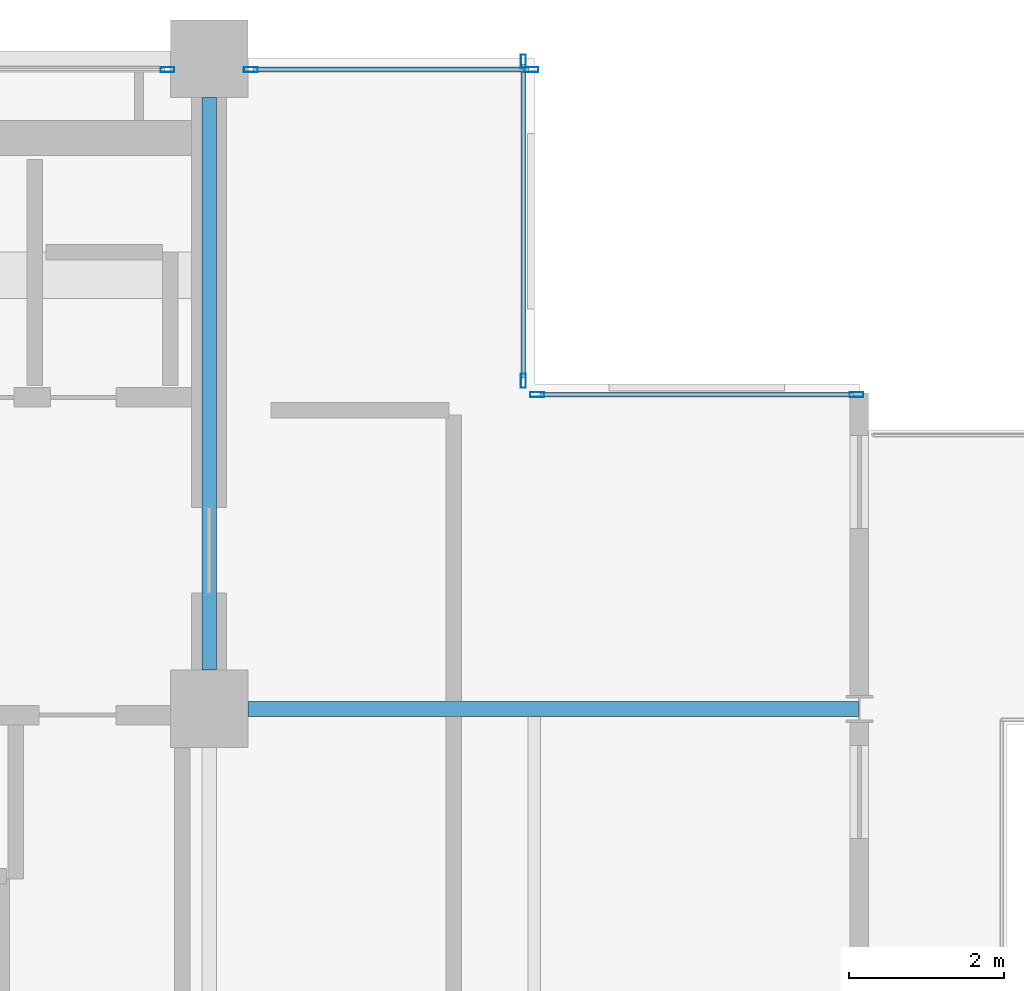
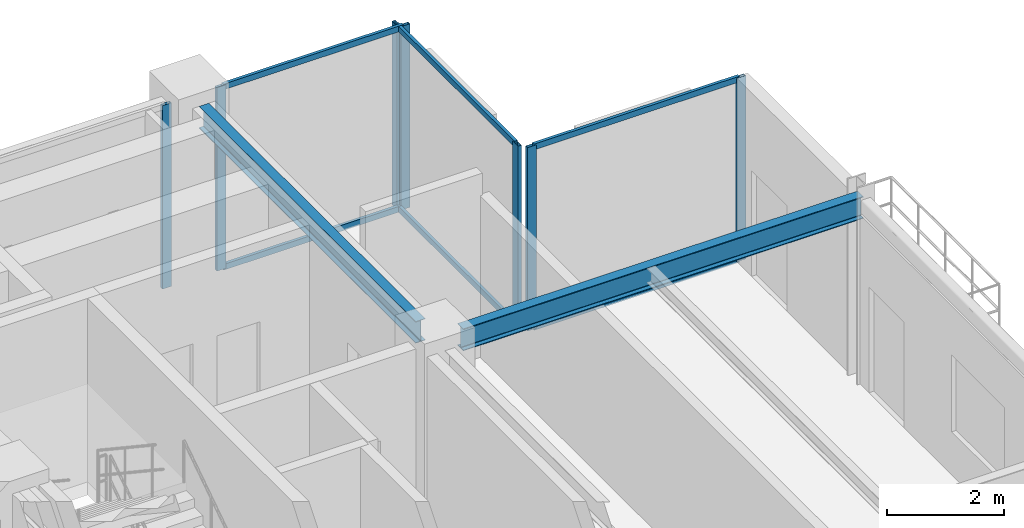
# One storey, part 18 of 25: 13 members, 2 beams, 4 elements without a shape of their own.
"""IFC4 building model written with IfcOpenShell, lengths in metres."""

from ifc_helpers import new_model, si_unit, direction, frame, origin, origin_2d, place, context, subcontext, project, spatial, hollow_rectangle, i_section, extrude, material, layer, layer_set, material_profile, profile_set, type_object, element, aggregate, save


model = new_model("IFC4")

# Units and contexts
model_context = context("Model", 3, precision=1e-05, world=origin(), true_north=direction((0.0, 1.0)))
body_context = subcontext(model_context, "Body", "Model", "MODEL_VIEW")
ifc_project = project(units=[si_unit("LENGTHUNIT", "METRE"), si_unit("AREAUNIT", "SQUARE_METRE"), si_unit("VOLUMEUNIT", "CUBIC_METRE"), si_unit("PLANEANGLEUNIT", "RADIAN"), si_unit("MASSUNIT", "GRAM", prefix="KILO")], contexts=[model_context])

# Site, building, storey
site_placement = place(None, origin())
site = spatial("IfcSite", under=ifc_project, at=site_placement, CompositionType="ELEMENT")
building_placement = place(site_placement, origin())
building = spatial("IfcBuilding", under=site, at=building_placement, Name="Nerrivon Quay Data Exchange", CompositionType="ELEMENT")
storey_placement = place(building_placement, frame((0.0, 0.0, 232.89990234375)))
storey = spatial("IfcBuildingStorey", under=building, at=storey_placement, Name="L55", CompositionType="ELEMENT", Elevation=232.89990234375)

# Beams
ifc_material_1 = material(Name="Steel Grade 350", Category="steel")
ifc_material_profile_1 = material_profile(ifc_material_1, i_section(OverallWidth=0.19091796875, OverallDepth=0.4599609375, WebThickness=0.010009765625, FlangeThickness=0.01611328125, FilletRadius=0.011474609375, at=origin_2d()), Name="460UB82.1")
ifc_profile_set_1 = profile_set([ifc_material_profile_1], Name="Steel Grade 350")
beam_type_1 = type_object("IfcBeamType", Name="BM-G5-460UB82", PredefinedType="BEAM", material=ifc_profile_set_1)
beam_1_placement = place(storey_placement, frame((17.300048828125, 33.60009765625, 3.59521484375), z_axis=(1.0, 0.0, 0.0), x_axis=(0.0, 1.0, 0.0)))
element("IfcBeam", 1, at=beam_1_placement, inside=storey, type_object=beam_type_1, Name="L55 EW Girder Y=33.6 (16.8..25.2)", PredefinedType="BEAM", context=body_context, shape_type="SweptSolid", body=[
    extrude(i_section(OverallWidth=0.19091796875, OverallDepth=0.4599609375, WebThickness=0.010009765625, FlangeThickness=0.01611328125, FilletRadius=0.011474609375, at=origin_2d()), origin(), (0.0, 0.0, 1.0), 7.889892578125),
])
ifc_material_profile_2 = material_profile(ifc_material_1, i_section(OverallWidth=0.18994140625, OverallDepth=0.4541015625, WebThickness=0.008544921875, FlangeThickness=0.0126953125, FilletRadius=0.011474609375, at=origin_2d()), Name="460UB67.1")
ifc_profile_set_2 = profile_set([ifc_material_profile_2], Name="Steel Grade 350")
beam_type_2 = type_object("IfcBeamType", Name="BM-G6-460UB67", PredefinedType="BEAM", material=ifc_profile_set_2)
beam_2_placement = place(storey_placement, frame((16.800048828125, 34.10009765625, 3.59814453125), z_axis=(0.0, 1.0, 0.0), x_axis=(-1.0, 0.0, 0.0)))
element("IfcBeam", 2, at=beam_2_placement, inside=storey, type_object=beam_type_2, Name="L55 NS Girder X=16.8 (33.6..42.0)", PredefinedType="BEAM", context=body_context, shape_type="SweptSolid", body=[
    extrude(i_section(OverallWidth=0.18994140625, OverallDepth=0.4541015625, WebThickness=0.008544921875, FlangeThickness=0.0126953125, FilletRadius=0.011474609375, at=origin_2d()), origin(), (0.0, 0.0, 1.0), 7.39990234375),
])

# Curtain wall, member
ifc_material_2 = material(Name="Anodised aluminium 6063-T6", Category="aluminium")
ifc_layer = layer(ifc_material_2, 0.195068359375)
ifc_layer_set = layer_set([ifc_layer], Name="Anodised aluminium 6063-T6")
curtain_wall_type = type_object("IfcCurtainWallType", Name="CW-SYS-06", PredefinedType="NOTDEFINED", material=ifc_layer_set)
curtain_wall_1_placement = place(storey_placement, origin())
curtain_wall_1 = element("IfcCurtainWall", 3, at=curtain_wall_1_placement, inside=storey, type_object=curtain_wall_type, Name="L55 Unitised Curtain Wall 18", PredefinedType="NOTDEFINED")
ifc_material_profile_3 = material_profile(ifc_material_2, hollow_rectangle(XDim=0.06494140625, YDim=0.179931640625, WallThickness=0.00341796875, at=origin_2d()), Name="ALU-MULL-180x65")
ifc_profile_set_3 = profile_set([ifc_material_profile_3], Name="Anodised aluminium 6063-T6")
member_type_1 = type_object("IfcMemberType", Name="CWM-180x65", PredefinedType="MULLION", material=ifc_profile_set_3)
member_1_placement = place(storey_placement, frame((16.262451171875, 41.860107421875, 0.0), z_axis=(0.0, 0.0, 1.0), x_axis=(0.0, 1.0, 0.0)))
member_1 = element("IfcMember", 4, at=member_1_placement, type_object=member_type_1, Name="CW06 mullion 2", PredefinedType="MULLION", context=body_context, shape_type="SweptSolid", body=[
    extrude(hollow_rectangle(XDim=0.06494140625, YDim=0.179931640625, WallThickness=0.00341796875, at=origin_2d()), origin(), (0.0, 0.0, 1.0), 3.8251953125),
])
aggregate(curtain_wall_1, [member_1])

# Curtain wall, members
curtain_wall_2_placement = place(storey_placement, origin())
curtain_wall_2 = element("IfcCurtainWall", 5, at=curtain_wall_2_placement, inside=storey, type_object=curtain_wall_type, Name="L55 Unitised Curtain Wall 19", PredefinedType="NOTDEFINED")
member_2_placement = place(storey_placement, frame((17.33740234375, 41.860107421875, 0.0), z_axis=(0.0, 0.0, 1.0), x_axis=(0.0, 1.0, 0.0)))
member_2 = element("IfcMember", 6, at=member_2_placement, type_object=member_type_1, Name="CW06 mullion 1", PredefinedType="MULLION", context=body_context, shape_type="SweptSolid", body=[
    extrude(hollow_rectangle(XDim=0.06494140625, YDim=0.179931640625, WallThickness=0.00341796875, at=origin_2d()), origin(), (0.0, 0.0, 1.0), 3.8251953125),
])
member_3_placement = place(storey_placement, frame((20.96240234375, 41.860107421875, 0.0), z_axis=(0.0, 0.0, 1.0), x_axis=(0.0, 1.0, 0.0)))
member_3 = element("IfcMember", 7, at=member_3_placement, type_object=member_type_1, Name="CW06 mullion 2", PredefinedType="MULLION", context=body_context, shape_type="SweptSolid", body=[
    extrude(hollow_rectangle(XDim=0.06494140625, YDim=0.179931640625, WallThickness=0.00341796875, at=origin_2d()), origin(), (0.0, 0.0, 1.0), 3.8251953125),
])

curtain_wall_3_placement = place(storey_placement, origin())
curtain_wall_3 = element("IfcCurtainWall", 8, at=curtain_wall_3_placement, inside=storey, type_object=curtain_wall_type, Name="L55 Unitised Curtain Wall 20", PredefinedType="NOTDEFINED")
member_4_placement = place(storey_placement, frame((20.860107421875, 41.96240234375, 0.0), z_axis=(0.0, 0.0, 1.0), x_axis=(1.0, 0.0, 0.0)))
member_4 = element("IfcMember", 9, at=member_4_placement, type_object=member_type_1, Name="CW06 mullion 1", PredefinedType="MULLION", context=body_context, shape_type="SweptSolid", body=[
    extrude(hollow_rectangle(XDim=0.06494140625, YDim=0.179931640625, WallThickness=0.00341796875, at=origin_2d()), origin(), (0.0, 0.0, 1.0), 3.8251953125),
])
member_5_placement = place(storey_placement, frame((20.860107421875, 37.83740234375, 0.0), z_axis=(0.0, 0.0, 1.0), x_axis=(1.0, 0.0, 0.0)))
member_5 = element("IfcMember", 10, at=member_5_placement, type_object=member_type_1, Name="CW06 mullion 2", PredefinedType="MULLION", context=body_context, shape_type="SweptSolid", body=[
    extrude(hollow_rectangle(XDim=0.06494140625, YDim=0.179931640625, WallThickness=0.00341796875, at=origin_2d()), origin(), (0.0, 0.0, 1.0), 3.8251953125),
])

curtain_wall_4_placement = place(storey_placement, origin())
curtain_wall_4 = element("IfcCurtainWall", 11, at=curtain_wall_4_placement, inside=storey, type_object=curtain_wall_type, Name="L55 Unitised Curtain Wall 21", PredefinedType="NOTDEFINED")
member_6_placement = place(storey_placement, frame((21.03759765625, 37.659912109375, 0.0), z_axis=(0.0, 0.0, 1.0), x_axis=(0.0, 1.0, 0.0)))
member_6 = element("IfcMember", 12, at=member_6_placement, type_object=member_type_1, Name="CW06 mullion 1", PredefinedType="MULLION", context=body_context, shape_type="SweptSolid", body=[
    extrude(hollow_rectangle(XDim=0.06494140625, YDim=0.179931640625, WallThickness=0.00341796875, at=origin_2d()), origin(), (0.0, 0.0, 1.0), 3.8251953125),
])
member_7_placement = place(storey_placement, frame((25.16259765625, 37.659912109375, 0.0), z_axis=(0.0, 0.0, 1.0), x_axis=(0.0, 1.0, 0.0)))
member_7 = element("IfcMember", 13, at=member_7_placement, type_object=member_type_1, Name="CW06 mullion 2", PredefinedType="MULLION", context=body_context, shape_type="SweptSolid", body=[
    extrude(hollow_rectangle(XDim=0.06494140625, YDim=0.179931640625, WallThickness=0.00341796875, at=origin_2d()), origin(), (0.0, 0.0, 1.0), 3.8251953125),
])

# Member
ifc_material_profile_4 = material_profile(ifc_material_2, hollow_rectangle(XDim=0.06005859375, YDim=0.1201171875, WallThickness=0.003173828125, at=origin_2d()), Name="ALU-TRAN-120x60")
ifc_profile_set_4 = profile_set([ifc_material_profile_4], Name="Anodised aluminium 6063-T6")
member_type_2 = type_object("IfcMemberType", Name="CWT-120x60", PredefinedType="USERDEFINED", material=ifc_profile_set_4)
member_8_placement = place(storey_placement, frame((17.375, 41.860107421875, 0.03271484375), z_axis=(1.0, 0.0, 0.0), x_axis=(0.0, 1.0, 0.0)))
member_8 = element("IfcMember", 14, at=member_8_placement, type_object=member_type_2, Name="CW06 transom 1.1", ObjectType="TRANSOM", PredefinedType="USERDEFINED", context=body_context, shape_type="SweptSolid", body=[
    extrude(hollow_rectangle(XDim=0.06005859375, YDim=0.1201171875, WallThickness=0.003173828125, at=origin_2d()), origin(), (0.0, 0.0, 1.0), 3.550048828125),
])

member_9_placement = place(storey_placement, frame((17.375, 41.860107421875, 3.79248046875), z_axis=(1.0, 0.0, 0.0), x_axis=(0.0, 1.0, 0.0)))
member_9 = element("IfcMember", 15, at=member_9_placement, type_object=member_type_2, Name="CW06 transom 1.2", ObjectType="TRANSOM", PredefinedType="USERDEFINED", context=body_context, shape_type="SweptSolid", body=[
    extrude(hollow_rectangle(XDim=0.06005859375, YDim=0.1201171875, WallThickness=0.003173828125, at=origin_2d()), origin(), (0.0, 0.0, 1.0), 3.550048828125),
])

aggregate(curtain_wall_2, [member_2, member_3, member_8, member_9])

member_10_placement = place(storey_placement, frame((20.860107421875, 41.925048828125, 0.03271484375), z_axis=(0.0, -1.0, 0.0), x_axis=(1.0, 0.0, 0.0)))
member_10 = element("IfcMember", 16, at=member_10_placement, type_object=member_type_2, Name="CW06 transom 1.1", ObjectType="TRANSOM", PredefinedType="USERDEFINED", context=body_context, shape_type="SweptSolid", body=[
    extrude(hollow_rectangle(XDim=0.06005859375, YDim=0.1201171875, WallThickness=0.003173828125, at=origin_2d()), origin(), (0.0, 0.0, 1.0), 4.050048828125),
])

member_11_placement = place(storey_placement, frame((20.860107421875, 41.925048828125, 3.79248046875), z_axis=(0.0, -1.0, 0.0), x_axis=(1.0, 0.0, 0.0)))
member_11 = element("IfcMember", 17, at=member_11_placement, type_object=member_type_2, Name="CW06 transom 1.2", ObjectType="TRANSOM", PredefinedType="USERDEFINED", context=body_context, shape_type="SweptSolid", body=[
    extrude(hollow_rectangle(XDim=0.06005859375, YDim=0.1201171875, WallThickness=0.003173828125, at=origin_2d()), origin(), (0.0, 0.0, 1.0), 4.050048828125),
])

aggregate(curtain_wall_3, [member_4, member_5, member_10, member_11])

member_12_placement = place(storey_placement, frame((21.074951171875, 37.659912109375, 0.03271484375), z_axis=(1.0, 0.0, 0.0), x_axis=(0.0, 1.0, 0.0)))
member_12 = element("IfcMember", 18, at=member_12_placement, type_object=member_type_2, Name="CW06 transom 1.1", ObjectType="TRANSOM", PredefinedType="USERDEFINED", context=body_context, shape_type="SweptSolid", body=[
    extrude(hollow_rectangle(XDim=0.06005859375, YDim=0.1201171875, WallThickness=0.003173828125, at=origin_2d()), origin(), (0.0, 0.0, 1.0), 4.050048828125),
])

member_13_placement = place(storey_placement, frame((21.074951171875, 37.659912109375, 3.79248046875), z_axis=(1.0, 0.0, 0.0), x_axis=(0.0, 1.0, 0.0)))
member_13 = element("IfcMember", 19, at=member_13_placement, type_object=member_type_2, Name="CW06 transom 1.2", ObjectType="TRANSOM", PredefinedType="USERDEFINED", context=body_context, shape_type="SweptSolid", body=[
    extrude(hollow_rectangle(XDim=0.06005859375, YDim=0.1201171875, WallThickness=0.003173828125, at=origin_2d()), origin(), (0.0, 0.0, 1.0), 4.050048828125),
])

aggregate(curtain_wall_4, [member_6, member_7, member_12, member_13])

save(model, "model.ifc")
